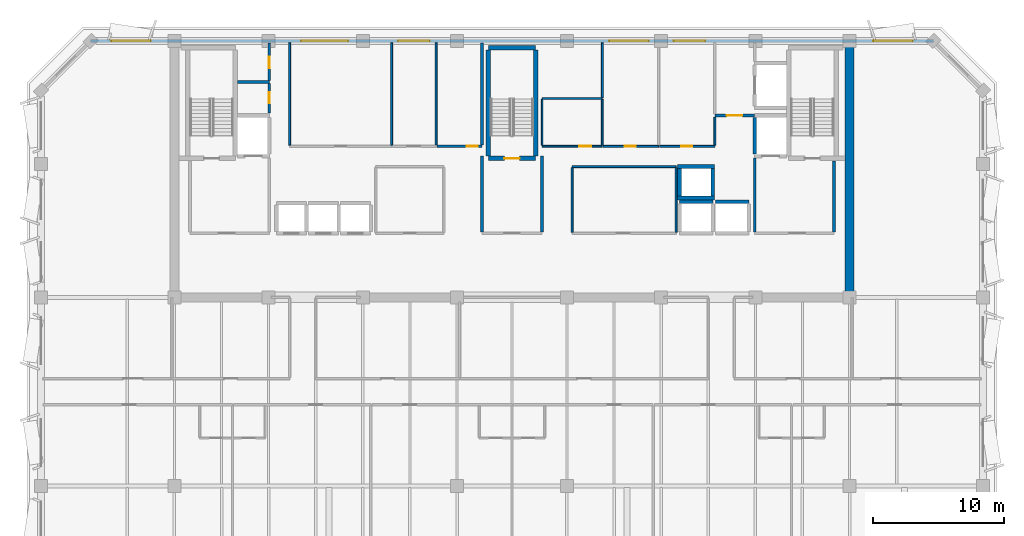
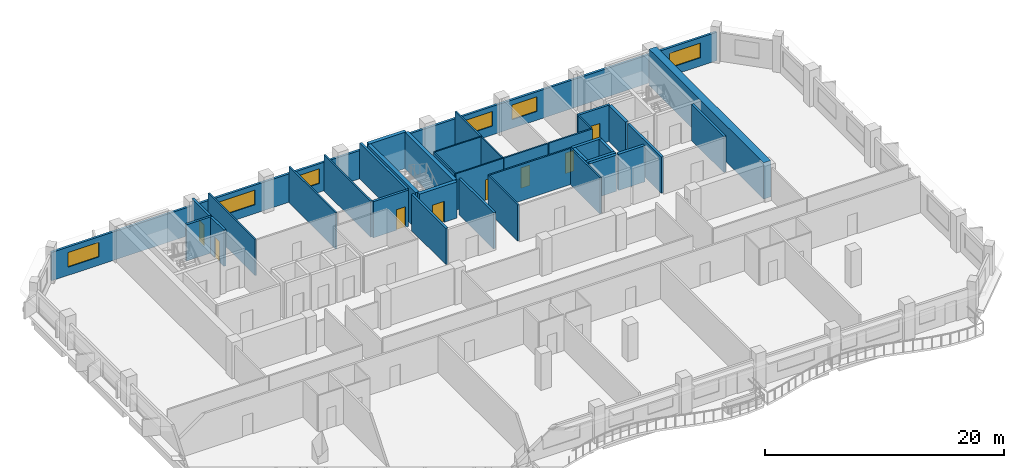
# One storey, part 6 of 10: 37 walls, 8 doors, 6 windows, 14 openings.
"""IFC4 building model written with IfcOpenShell, lengths in metres."""

from ifc_helpers import new_model, si_unit, direction, frame, frame_2d, origin, place, context, subcontext, project, spatial, rectangle, extrude, material, layer, layer_set, type_object, element, fill, save


model = new_model("IFC4")

# Units and contexts
model_context = context("Model", 3, precision=1e-05, world=origin(), true_north=direction((0.0, 1.0)))
body_context = subcontext(model_context, "Body", "Model", "MODEL_VIEW")
ifc_project = project(units=[si_unit("LENGTHUNIT", "METRE"), si_unit("AREAUNIT", "SQUARE_METRE"), si_unit("VOLUMEUNIT", "CUBIC_METRE"), si_unit("PLANEANGLEUNIT", "RADIAN"), si_unit("MASSUNIT", "GRAM", prefix="KILO")], contexts=[model_context])

# Site, building, storey
site_placement = place(None, origin())
site = spatial("IfcSite", under=ifc_project, at=site_placement, CompositionType="ELEMENT")
building_placement = place(site_placement, origin())
building = spatial("IfcBuilding", under=site, at=building_placement, Name="Kaelvorn Grand Hotel", CompositionType="ELEMENT")
storey_placement = place(building_placement, frame((0.0, 0.0, 260.75)))
storey = spatial("IfcBuildingStorey", under=building, at=storey_placement, Name="L64", CompositionType="ELEMENT", Elevation=260.75)

# Wall
ifc_material_1 = material(Name="Concrete C50/60", Category="concrete")
ifc_layer_1 = layer(ifc_material_1, 0.699951171875)
ifc_layer_set_1 = layer_set([ifc_layer_1], Name="Concrete C50/60")
wall_type_1 = type_object("IfcWallType", Name="WL-CORE-700-C50", PredefinedType="SHEAR", material=ifc_layer_set_1)
wall_1_placement = place(storey_placement, frame((67.800048828125, 29.39990234375, 0.0), z_axis=(0.0, 0.0, 1.0), x_axis=(0.0, 1.0, 0.0)))
element("IfcWall", 1, at=wall_1_placement, inside=storey, type_object=wall_type_1, Name="L64 Rear-Core East Shear Wall", PredefinedType="SHEAR", context=body_context, shape_type="SweptSolid", body=[
    extrude(rectangle(XDim=19.2001953125, YDim=0.699951171875, at=frame_2d((9.60009765625, 0.0))), origin(), (0.0, 0.0, 1.0), 3.7099609375),
])

# Wall, openings, windows
ifc_material_2 = material(Name="Concrete C40/50", Category="concrete")
ifc_layer_2 = layer(ifc_material_2, 0.219970703125)
ifc_layer_set_2 = layer_set([ifc_layer_2], Name="Concrete C40/50")
wall_type_2 = type_object("IfcWallType", Name="WL-EXT-220-C40", PredefinedType="SOLIDWALL", material=ifc_layer_set_2)
wall_2_placement = place(storey_placement, frame((74.199951171875, 49.0, 0.0), z_axis=(0.0, 0.0, 1.0), x_axis=(-1.0, 0.0, 0.0)))
wall_2 = element("IfcWall", 2, at=wall_2_placement, inside=storey, type_object=wall_type_2, Name="L64 Exterior Architectural Concrete Wall 05", PredefinedType="SOLIDWALL", context=body_context, shape_type="SweptSolid", body=[
    extrude(rectangle(XDim=64.39990234375, YDim=0.219970703125, at=frame_2d((32.199951171875, 0.0))), origin(), (0.0, 0.0, 1.0), 2.909912109375),
])
opening_1_placement = place(wall_2_placement, frame((59.81494140625, 0.0, 0.85009765625)))
opening_1 = element("IfcOpeningElement", 3, at=opening_1_placement, cuts=wall_2, Name="Opening W5", PredefinedType="OPENING", context=body_context, shape_type="SweptSolid", body=[
    extrude(rectangle(XDim=3.0, YDim=1.5, at=frame_2d((1.5, 0.75))), frame((0.0, 0.1201171875, 0.0), z_axis=(0.0, -1.0, 0.0), x_axis=(1.0, 0.0, 0.0)), (0.0, 0.0, 1.0), 0.239990234375),
])
opening_2_placement = place(wall_2_placement, frame((1.5849609375, 0.0, 0.85009765625)))
opening_2 = element("IfcOpeningElement", 4, at=opening_2_placement, cuts=wall_2, Name="Opening W5", PredefinedType="OPENING", context=body_context, shape_type="SweptSolid", body=[
    extrude(rectangle(XDim=3.0, YDim=1.5, at=frame_2d((1.5, 0.75))), frame((0.0, 0.1201171875, 0.0), z_axis=(0.0, -1.0, 0.0), x_axis=(1.0, 0.0, 0.0)), (0.0, 0.0, 1.0), 0.239990234375),
])
opening_3_placement = place(wall_2_placement, frame((44.715087890625, 0.0, 0.89990234375)))
opening_3 = element("IfcOpeningElement", 5, at=opening_3_placement, cuts=wall_2, Name="Opening W3", PredefinedType="OPENING", context=body_context, shape_type="SweptSolid", body=[
    extrude(rectangle(XDim=3.60009765625, YDim=1.5, at=frame_2d((1.800048828125, 0.75))), frame((0.0, 0.1201171875, 0.0), z_axis=(0.0, -1.0, 0.0), x_axis=(1.0, 0.0, 0.0)), (0.0, 0.0, 1.0), 0.239990234375),
])
opening_4_placement = place(wall_2_placement, frame((38.5, 0.0, 0.89990234375)))
opening_4 = element("IfcOpeningElement", 6, at=opening_4_placement, cuts=wall_2, Name="Opening W6", PredefinedType="OPENING", context=body_context, shape_type="SweptSolid", body=[
    extrude(rectangle(XDim=2.39990234375, YDim=1.5, at=frame_2d((1.199951171875, 0.75))), frame((0.0, 0.1201171875, 0.0), z_axis=(0.0, -1.0, 0.0), x_axis=(1.0, 0.0, 0.0)), (0.0, 0.0, 1.0), 0.239990234375),
])
opening_5_placement = place(wall_2_placement, frame((21.75, 0.0, 0.89990234375)))
opening_5 = element("IfcOpeningElement", 7, at=opening_5_placement, cuts=wall_2, Name="Opening W5", PredefinedType="OPENING", context=body_context, shape_type="SweptSolid", body=[
    extrude(rectangle(XDim=3.0, YDim=1.5, at=frame_2d((1.5, 0.75))), frame((0.0, 0.1201171875, 0.0), z_axis=(0.0, -1.0, 0.0), x_axis=(1.0, 0.0, 0.0)), (0.0, 0.0, 1.0), 0.239990234375),
])
opening_6_placement = place(wall_2_placement, frame((17.43505859375, 0.0, 0.89990234375)))
opening_6 = element("IfcOpeningElement", 8, at=opening_6_placement, cuts=wall_2, Name="Opening W6", PredefinedType="OPENING", context=body_context, shape_type="SweptSolid", body=[
    extrude(rectangle(XDim=2.39990234375, YDim=1.5, at=frame_2d((1.199951171875, 0.75))), frame((0.0, 0.1201171875, 0.0), z_axis=(0.0, -1.0, 0.0), x_axis=(1.0, 0.0, 0.0)), (0.0, 0.0, 1.0), 0.239990234375),
])
ifc_material_3 = material(Name="Laminated Low-E Glass", Category="glass")
window_type_1 = type_object("IfcWindowType", Name="WIN-NTH-2400x1500", PartitioningType="SINGLE_PANEL", PredefinedType="WINDOW", material=ifc_material_3)
window_1_placement = place(opening_4_placement, origin())
window_1 = element("IfcWindow", 9, at=window_1_placement, inside=storey, type_object=window_type_1, Name="L64 North Core Clerestory Ribbon Window NC04", OverallHeight=1.5, OverallWidth=2.39990234375, PartitioningType="SINGLE_PANEL", PredefinedType="WINDOW", context=body_context, shape_type="SweptSolid", body=[
    extrude(rectangle(XDim=2.39990234375, YDim=1.5, at=frame_2d((1.199951171875, 0.75))), frame((0.0, 0.030029296875, 0.0), z_axis=(0.0, -1.0, 0.0), x_axis=(1.0, 0.0, 0.0)), (0.0, 0.0, 1.0), 0.06005859375),
])
fill(opening_4, window_1)
window_2_placement = place(opening_6_placement, origin())
window_2 = element("IfcWindow", 10, at=window_2_placement, inside=storey, type_object=window_type_1, Name="L64 North Core Clerestory Ribbon Window NC06", OverallHeight=1.5, OverallWidth=2.39990234375, PartitioningType="SINGLE_PANEL", PredefinedType="WINDOW", context=body_context, shape_type="SweptSolid", body=[
    extrude(rectangle(XDim=2.39990234375, YDim=1.5, at=frame_2d((1.199951171875, 0.75))), frame((0.0, 0.030029296875, 0.0), z_axis=(0.0, -1.0, 0.0), x_axis=(1.0, 0.0, 0.0)), (0.0, 0.0, 1.0), 0.06005859375),
])
fill(opening_6, window_2)
window_type_2 = type_object("IfcWindowType", Name="WIN-NTH-3000x1500", PartitioningType="SINGLE_PANEL", PredefinedType="WINDOW", material=ifc_material_3)
window_3_placement = place(opening_1_placement, origin())
window_3 = element("IfcWindow", 11, at=window_3_placement, inside=storey, type_object=window_type_2, Name="L64 North Wing Ribbon Window NW01", OverallHeight=1.5, OverallWidth=3.0, PartitioningType="SINGLE_PANEL", PredefinedType="WINDOW", context=body_context, shape_type="SweptSolid", body=[
    extrude(rectangle(XDim=3.0, YDim=1.5, at=frame_2d((1.5, 0.75))), frame((0.0, 0.030029296875, 0.0), z_axis=(0.0, -1.0, 0.0), x_axis=(1.0, 0.0, 0.0)), (0.0, 0.0, 1.0), 0.06005859375),
])
fill(opening_1, window_3)
window_4_placement = place(opening_2_placement, origin())
window_4 = element("IfcWindow", 12, at=window_4_placement, inside=storey, type_object=window_type_2, Name="L64 North Wing Ribbon Window NW02", OverallHeight=1.5, OverallWidth=3.0, PartitioningType="SINGLE_PANEL", PredefinedType="WINDOW", context=body_context, shape_type="SweptSolid", body=[
    extrude(rectangle(XDim=3.0, YDim=1.5, at=frame_2d((1.5, 0.75))), frame((0.0, 0.030029296875, 0.0), z_axis=(0.0, -1.0, 0.0), x_axis=(1.0, 0.0, 0.0)), (0.0, 0.0, 1.0), 0.06005859375),
])
fill(opening_2, window_4)
window_5_placement = place(opening_5_placement, origin())
window_5 = element("IfcWindow", 13, at=window_5_placement, inside=storey, type_object=window_type_2, Name="L64 North Core Clerestory Ribbon Window NC05", OverallHeight=1.5, OverallWidth=3.0, PartitioningType="SINGLE_PANEL", PredefinedType="WINDOW", context=body_context, shape_type="SweptSolid", body=[
    extrude(rectangle(XDim=3.0, YDim=1.5, at=frame_2d((1.5, 0.75))), frame((0.0, 0.030029296875, 0.0), z_axis=(0.0, -1.0, 0.0), x_axis=(1.0, 0.0, 0.0)), (0.0, 0.0, 1.0), 0.06005859375),
])
fill(opening_5, window_5)
window_type_3 = type_object("IfcWindowType", Name="WIN-RIB-3600x1750", PartitioningType="SINGLE_PANEL", PredefinedType="WINDOW", material=ifc_material_3)
window_6_placement = place(opening_3_placement, origin())
window_6 = element("IfcWindow", 14, at=window_6_placement, inside=storey, type_object=window_type_3, Name="L64 North Core Clerestory Ribbon Window NC03", OverallHeight=1.5, OverallWidth=3.60009765625, PartitioningType="SINGLE_PANEL", PredefinedType="WINDOW", context=body_context, shape_type="SweptSolid", body=[
    extrude(rectangle(XDim=3.60009765625, YDim=1.5, at=frame_2d((1.800048828125, 0.75))), frame((0.0, 0.030029296875, 0.0), z_axis=(0.0, -1.0, 0.0), x_axis=(1.0, 0.0, 0.0)), (0.0, 0.0, 1.0), 0.06005859375),
])
fill(opening_3, window_6)

# Wall, opening, door
ifc_material_4 = material(Name="Moisture-Resistant Tile & Stud Board")
ifc_layer_3 = layer(ifc_material_4, 0.125)
ifc_layer_set_3 = layer_set([ifc_layer_3], Name="Moisture-Resistant Tile & Stud Board")
wall_type_3 = type_object("IfcWallType", Name="WL-PART-125-WET", PredefinedType="PARTITIONING", material=ifc_layer_set_3)
wall_3_placement = place(storey_placement, frame((44.300048828125, 40.949951171875, 0.0), z_axis=(0.0, 0.0, 1.0), x_axis=(1.0, 0.0, 0.0)))
wall_3 = element("IfcWall", 15, at=wall_3_placement, inside=storey, type_object=wall_type_3, Name="L64 Accessible WC S Partition", PredefinedType="PARTITIONING", context=body_context, shape_type="SweptSolid", body=[
    extrude(rectangle(XDim=4.599853515625, YDim=0.125, at=frame_2d((2.2998046875, 0.0))), origin(), (0.0, 0.0, 1.0), 3.7099609375),
])
opening_7_placement = place(wall_3_placement, frame((2.85009765625, 0.0, 0.0)))
opening_7 = element("IfcOpeningElement", 16, at=opening_7_placement, cuts=wall_3, Name="Opening DI4", PredefinedType="OPENING", context=body_context, shape_type="SweptSolid", body=[
    extrude(rectangle(XDim=0.89990234375, YDim=2.10009765625, at=frame_2d((0.449951171875, 1.050048828125))), frame((0.0, 0.072509765625, 0.0), z_axis=(0.0, -1.0, 0.0), x_axis=(1.0, 0.0, 0.0)), (0.0, 0.0, 1.0), 0.14501953125),
])
ifc_material_5 = material(Name="Timber Veneer Leaf", Category="wood")
door_type_1 = type_object("IfcDoorType", Name="DR-INT-BATH-900x2100", OperationType="NOTDEFINED", PredefinedType="DOOR", material=ifc_material_5)
door_1_placement = place(opening_7_placement, origin())
door_1 = element("IfcDoor", 17, at=door_1_placement, inside=storey, type_object=door_type_1, Name="L64 Accessible WC Door", OperationType="SINGLE_SWING_RIGHT", OverallHeight=2.10009765625, OverallWidth=0.89990234375, PredefinedType="DOOR", context=body_context, shape_type="SweptSolid", body=[
    extrude(rectangle(XDim=0.89990234375, YDim=2.10009765625, at=frame_2d((0.449951171875, 1.050048828125))), frame((0.0, 0.02490234375, 0.0), z_axis=(0.0, -1.0, 0.0), x_axis=(1.0, 0.0, 0.0)), (0.0, 0.0, 1.0), 0.050048828125),
])
fill(opening_7, door_1)

# Walls
wall_4_placement = place(storey_placement, frame((44.300048828125, 44.60009765625, 0.0), z_axis=(0.0, 0.0, 1.0), x_axis=(1.0, 0.0, 0.0)))
element("IfcWall", 18, at=wall_4_placement, inside=storey, type_object=wall_type_3, Name="L64 Accessible WC N Partition", PredefinedType="PARTITIONING", context=body_context, shape_type="SweptSolid", body=[
    extrude(rectangle(XDim=4.599853515625, YDim=0.125, at=frame_2d((2.2998046875, 0.0))), origin(), (0.0, 0.0, 1.0), 3.7099609375),
])
for number, where, z_axis, x_axis, name in (
    (19, (44.300048828125, 41.017578125, 0.0), (0.0, 0.0, 1.0), (0.0, 1.0, 0.0), "L64 Accessible WC W Partition"),
    (20, (48.89990234375, 41.017578125, 0.0), (0.0, 0.0, 1.0), (0.0, 1.0, 0.0), "L64 Accessible WC E Partition"),
):
    element("IfcWall", number, at=place(storey_placement, frame(where, z_axis=z_axis, x_axis=x_axis)), inside=storey, type_object=wall_type_3, Name=name, PredefinedType="PARTITIONING", context=body_context, shape_type="SweptSolid", body=[
        extrude(rectangle(XDim=3.514892578125, YDim=0.125, at=frame_2d((1.75732421875, 0.0))), origin(), (0.0, 0.0, 1.0), 3.7099609375),
    ])
ifc_material_6 = material(Name="Acoustic Gypsum & Stud Partition")
ifc_layer_4 = layer(ifc_material_6, 0.14990234375)
ifc_layer_set_4 = layer_set([ifc_layer_4], Name="Acoustic Gypsum & Stud Partition")
wall_type_4 = type_object("IfcWallType", Name="WL-PART-150-EI60", PredefinedType="PARTITIONING", material=ifc_layer_set_4)
wall_5_placement = place(storey_placement, frame((46.60009765625, 39.39990234375, 0.0), z_axis=(0.0, 0.0, 1.0), x_axis=(1.0, 0.0, 0.0)))
element("IfcWall", 21, at=wall_5_placement, inside=storey, type_object=wall_type_4, Name="L64 Sky Concierge & Butler Pantry Lounge N Partition", PredefinedType="PARTITIONING", context=body_context, shape_type="SweptSolid", body=[
    extrude(rectangle(XDim=7.949951171875, YDim=0.14990234375, at=frame_2d((3.97509765625, 0.0))), origin(), (0.0, 0.0, 1.0), 3.7099609375),
])
for number, where, z_axis, x_axis, name in (
    (22, (46.60009765625, 34.3798828125, 0.0), (0.0, 0.0, 1.0), (0.0, 1.0, 0.0), "L64 Sky Concierge & Butler Pantry Lounge W Partition"),
    (23, (54.550048828125, 34.3798828125, 0.0), (0.0, 0.0, 1.0), (0.0, 1.0, 0.0), "L64 Sky Concierge & Butler Pantry Lounge E Partition"),
):
    element("IfcWall", number, at=place(storey_placement, frame(where, z_axis=z_axis, x_axis=x_axis)), inside=storey, type_object=wall_type_4, Name=name, PredefinedType="PARTITIONING", context=body_context, shape_type="SweptSolid", body=[
        extrude(rectangle(XDim=4.940185546875, YDim=0.14990234375, at=frame_2d((2.47021484375, 0.0))), origin(), (0.0, 0.0, 1.0), 3.7099609375),
    ])
for number, where, z_axis, x_axis, name in (
    (24, (25.0, 41.030029296875, 0.0), (0.0, 0.0, 1.0), (0.0, 1.0, 0.0), "L64 Housekeeping & Linen Room W Partition"),
    (25, (32.800048828125, 41.030029296875, 0.0), (0.0, 0.0, 1.0), (0.0, 1.0, 0.0), "L64 Housekeeping & Linen Room E Partition"),
    (26, (36.199951171875, 41.030029296875, 0.0), (0.0, 0.0, 1.0), (0.0, 1.0, 0.0), "L64 Floor Butler Tea Point E Partition"),
):
    element("IfcWall", number, at=place(storey_placement, frame(where, z_axis=z_axis, x_axis=x_axis)), inside=storey, type_object=wall_type_4, Name=name, PredefinedType="PARTITIONING", context=body_context, shape_type="SweptSolid", body=[
        extrude(rectangle(XDim=7.820068359375, YDim=0.14990234375, at=frame_2d((3.91015625, 0.0))), origin(), (0.0, 0.0, 1.0), 3.7099609375),
    ])

# Wall, opening, door
wall_6_placement = place(storey_placement, frame((48.967529296875, 40.949951171875, 0.0), z_axis=(0.0, 0.0, 1.0), x_axis=(1.0, 0.0, 0.0)))
wall_6 = element("IfcWall", 27, at=wall_6_placement, inside=storey, type_object=wall_type_4, Name="L64 Minibar & Glassware Store S Partition", PredefinedType="PARTITIONING", context=body_context, shape_type="SweptSolid", body=[
    extrude(rectangle(XDim=4.232421875, YDim=0.14990234375, at=frame_2d((2.1162109375, 0.0))), origin(), (0.0, 0.0, 1.0), 3.7099609375),
])
opening_8_placement = place(wall_6_placement, frame((1.657470703125, 0.0, 0.0)))
opening_8 = element("IfcOpeningElement", 28, at=opening_8_placement, cuts=wall_6, Name="Opening DI7", PredefinedType="OPENING", context=body_context, shape_type="SweptSolid", body=[
    extrude(rectangle(XDim=0.85009765625, YDim=2.10009765625, at=frame_2d((0.425048828125, 1.050048828125))), frame((0.0, 0.0849609375, 0.0), z_axis=(0.0, -1.0, 0.0), x_axis=(1.0, 0.0, 0.0)), (0.0, 0.0, 1.0), 0.169921875),
])
ifc_material_7 = material(Name="Powder-Coated Steel Leaf", Category="steel")
door_type_2 = type_object("IfcDoorType", Name="DR-INT-RISER-850x2100", OperationType="NOTDEFINED", PredefinedType="DOOR", material=ifc_material_7)
door_2_placement = place(opening_8_placement, origin())
door_2 = element("IfcDoor", 29, at=door_2_placement, inside=storey, type_object=door_type_2, Name="L64 Minibar & Glassware Store Door", OperationType="SINGLE_SWING_LEFT", OverallHeight=2.10009765625, OverallWidth=0.85009765625, PredefinedType="DOOR", context=body_context, shape_type="SweptSolid", body=[
    extrude(rectangle(XDim=0.85009765625, YDim=2.10009765625, at=frame_2d((0.425048828125, 1.050048828125))), frame((0.0, 0.02490234375, 0.0), z_axis=(0.0, -1.0, 0.0), x_axis=(1.0, 0.0, 0.0)), (0.0, 0.0, 1.0), 0.050048828125),
])
fill(opening_8, door_2)

# Wall
wall_7_placement = place(storey_placement, frame((48.89990234375, 44.66748046875, 0.0), z_axis=(0.0, 0.0, 1.0), x_axis=(0.0, 1.0, 0.0)))
element("IfcWall", 30, at=wall_7_placement, inside=storey, type_object=wall_type_4, Name="L64 Minibar & Glassware Store W Partition", PredefinedType="PARTITIONING", context=body_context, shape_type="SweptSolid", body=[
    extrude(rectangle(XDim=4.1826171875, YDim=0.14990234375, at=frame_2d((2.09130859375, 0.0))), origin(), (0.0, 0.0, 1.0), 3.7099609375),
])

# Wall, opening, door
wall_8_placement = place(storey_placement, frame((53.280029296875, 40.949951171875, 0.0), z_axis=(0.0, 0.0, 1.0), x_axis=(1.0, 0.0, 0.0)))
wall_8 = element("IfcWall", 31, at=wall_8_placement, inside=storey, type_object=wall_type_4, Name="L64 Floor IT & Comms Room S Partition", PredefinedType="PARTITIONING", context=body_context, shape_type="SweptSolid", body=[
    extrude(rectangle(XDim=4.219970703125, YDim=0.14990234375, at=frame_2d((2.10986328125, 0.0))), origin(), (0.0, 0.0, 1.0), 3.7099609375),
])
opening_9_placement = place(wall_8_placement, frame((1.64501953125, 0.0, 0.0)))
opening_9 = element("IfcOpeningElement", 32, at=opening_9_placement, cuts=wall_8, Name="Opening DI7", PredefinedType="OPENING", context=body_context, shape_type="SweptSolid", body=[
    extrude(rectangle(XDim=0.85009765625, YDim=2.10009765625, at=frame_2d((0.425048828125, 1.050048828125))), frame((0.0, 0.0849609375, 0.0), z_axis=(0.0, -1.0, 0.0), x_axis=(1.0, 0.0, 0.0)), (0.0, 0.0, 1.0), 0.169921875),
])
door_3_placement = place(opening_9_placement, origin())
door_3 = element("IfcDoor", 33, at=door_3_placement, inside=storey, type_object=door_type_2, Name="L64 Floor IT & Comms Room Door", OperationType="SINGLE_SWING_RIGHT", OverallHeight=2.10009765625, OverallWidth=0.85009765625, PredefinedType="DOOR", context=body_context, shape_type="SweptSolid", body=[
    extrude(rectangle(XDim=0.85009765625, YDim=2.10009765625, at=frame_2d((0.425048828125, 1.050048828125))), frame((0.0, 0.02490234375, 0.0), z_axis=(0.0, -1.0, 0.0), x_axis=(1.0, 0.0, 0.0)), (0.0, 0.0, 1.0), 0.050048828125),
])
fill(opening_9, door_3)

# Walls
wall_9_placement = place(storey_placement, frame((57.5, 41.030029296875, 0.0), z_axis=(0.0, 0.0, 1.0), x_axis=(0.0, 1.0, 0.0)))
element("IfcWall", 34, at=wall_9_placement, inside=storey, type_object=wall_type_4, Name="L64 Floor IT & Comms Room E Partition", PredefinedType="PARTITIONING", context=body_context, shape_type="SweptSolid", body=[
    extrude(rectangle(XDim=2.155029296875, YDim=0.14990234375, at=frame_2d((1.07763671875, 0.0))), origin(), (0.0, 0.0, 1.0), 3.7099609375),
])
ifc_layer_5 = layer(ifc_material_2, 0.219970703125)
ifc_layer_set_5 = layer_set([ifc_layer_5], Name="Concrete C40/50")
wall_type_5 = type_object("IfcWallType", Name="WL-PART-220-EI120", PredefinedType="PARTITIONING", material=ifc_layer_set_5)
wall_10_placement = place(storey_placement, frame((60.550048828125, 34.4150390625, 0.0), z_axis=(0.0, 0.0, 1.0), x_axis=(0.0, 1.0, 0.0)))
element("IfcWall", 35, at=wall_10_placement, inside=storey, type_object=wall_type_5, Name="L64 Firefighting Lift Lobby 2 W Partition", PredefinedType="PARTITIONING", context=body_context, shape_type="SweptSolid", body=[
    extrude(rectangle(XDim=5.639892578125, YDim=0.219970703125, at=frame_2d((2.81982421875, 0.0))), origin(), (0.0, 0.0, 1.0), 3.7099609375),
])
wall_11_placement = place(storey_placement, frame((66.60009765625, 34.4150390625, 0.0), z_axis=(0.0, 0.0, 1.0), x_axis=(0.0, 1.0, 0.0)))
element("IfcWall", 36, at=wall_11_placement, inside=storey, type_object=wall_type_5, Name="L64 Firefighting Lift Lobby 2 E Partition", PredefinedType="PARTITIONING", context=body_context, shape_type="SweptSolid", body=[
    extrude(rectangle(XDim=5.429931640625, YDim=0.219970703125, at=frame_2d((2.71484375, 0.0))), origin(), (0.0, 0.0, 1.0), 3.7099609375),
])
for number, where, z_axis, x_axis, name in (
    (37, (39.699951171875, 34.4150390625, 0.0), (0.0, 0.0, 1.0), (0.0, 1.0, 0.0), "L64 Central Stair Escape Vestibule W Partition"),
    (38, (44.300048828125, 34.4150390625, 0.0), (0.0, 0.0, 1.0), (0.0, 1.0, 0.0), "L64 Central Stair Escape Vestibule E Partition"),
):
    element("IfcWall", number, at=place(storey_placement, frame(where, z_axis=z_axis, x_axis=x_axis)), inside=storey, type_object=wall_type_5, Name=name, PredefinedType="PARTITIONING", context=body_context, shape_type="SweptSolid", body=[
        extrude(rectangle(XDim=5.784912109375, YDim=0.219970703125, at=frame_2d((2.892578125, 0.0))), origin(), (0.0, 0.0, 1.0), 3.7099609375),
    ])

# Wall, opening, door
wall_12_placement = place(storey_placement, frame((57.5, 43.300048828125, 0.0), z_axis=(0.0, 0.0, 1.0), x_axis=(1.0, 0.0, 0.0)))
wall_12 = element("IfcWall", 39, at=wall_12_placement, inside=storey, type_object=wall_type_5, Name="L64 Service Lift Lobby S Partition", PredefinedType="PARTITIONING", context=body_context, shape_type="SweptSolid", body=[
    extrude(rectangle(XDim=3.0400390625, YDim=0.219970703125, at=frame_2d((1.52001953125, 0.0))), origin(), (0.0, 0.0, 1.0), 3.7099609375),
])
opening_10_placement = place(wall_12_placement, frame((0.89990234375, 0.0, 0.0)))
opening_10 = element("IfcOpeningElement", 40, at=opening_10_placement, cuts=wall_12, Name="Opening DI2", PredefinedType="OPENING", context=body_context, shape_type="SweptSolid", body=[
    extrude(rectangle(XDim=1.199951171875, YDim=2.14990234375, at=frame_2d((0.60009765625, 1.074951171875))), frame((0.0, 0.1201171875, 0.0), z_axis=(0.0, -1.0, 0.0), x_axis=(1.0, 0.0, 0.0)), (0.0, 0.0, 1.0), 0.239990234375),
])
ifc_material_8 = material(Name="Timber Veneer Fire Leaf", Category="wood")
door_type_3 = type_object("IfcDoorType", Name="DR-INT-FFLOB-1200x2150", OperationType="NOTDEFINED", PredefinedType="DOOR", material=ifc_material_8)
door_4_placement = place(opening_10_placement, origin())
door_4 = element("IfcDoor", 41, at=door_4_placement, inside=storey, type_object=door_type_3, Name="L64 Service Lift Lobby Door", OperationType="SINGLE_SWING_RIGHT", OverallHeight=2.14990234375, OverallWidth=1.199951171875, PredefinedType="DOOR", context=body_context, shape_type="SweptSolid", body=[
    extrude(rectangle(XDim=1.199951171875, YDim=2.14990234375, at=frame_2d((0.60009765625, 1.074951171875))), frame((0.0, 0.02490234375, 0.0), z_axis=(0.0, -1.0, 0.0), x_axis=(1.0, 0.0, 0.0)), (0.0, 0.0, 1.0), 0.050048828125),
])
fill(opening_10, door_4)

# Wall
wall_13_placement = place(storey_placement, frame((21.034912109375, 45.85009765625, 0.0), z_axis=(0.0, 0.0, 1.0), x_axis=(1.0, 0.0, 0.0)))
element("IfcWall", 42, at=wall_13_placement, inside=storey, type_object=wall_type_5, Name="L64 Wet Fire & Plumbing Riser Shaft N Partition", PredefinedType="PARTITIONING", context=body_context, shape_type="SweptSolid", body=[
    extrude(rectangle(XDim=2.4150390625, YDim=0.219970703125, at=frame_2d((1.20751953125, 0.0))), origin(), (0.0, 0.0, 1.0), 3.7099609375),
])

# Wall, opening, door
wall_14_placement = place(storey_placement, frame((23.449951171875, 43.5, 0.0), z_axis=(0.0, 0.0, 1.0), x_axis=(0.0, 1.0, 0.0)))
wall_14 = element("IfcWall", 43, at=wall_14_placement, inside=storey, type_object=wall_type_5, Name="L64 Wet Fire & Plumbing Riser Shaft E Partition", PredefinedType="PARTITIONING", context=body_context, shape_type="SweptSolid", body=[
    extrude(rectangle(XDim=2.235107421875, YDim=0.219970703125, at=frame_2d((1.11767578125, 0.0))), origin(), (0.0, 0.0, 1.0), 3.7099609375),
])
opening_11_placement = place(wall_14_placement, frame((0.72509765625, 0.0, 0.0)))
opening_11 = element("IfcOpeningElement", 44, at=opening_11_placement, cuts=wall_14, Name="Opening DI7", PredefinedType="OPENING", context=body_context, shape_type="SweptSolid", body=[
    extrude(rectangle(XDim=0.85009765625, YDim=2.10009765625, at=frame_2d((0.425048828125, 1.050048828125))), frame((0.0, 0.1201171875, 0.0), z_axis=(0.0, -1.0, 0.0), x_axis=(1.0, 0.0, 0.0)), (0.0, 0.0, 1.0), 0.239990234375),
])
door_5_placement = place(opening_11_placement, origin())
door_5 = element("IfcDoor", 45, at=door_5_placement, inside=storey, type_object=door_type_2, Name="L64 Wet Fire & Plumbing Riser Shaft Door", OperationType="SINGLE_SWING_LEFT", OverallHeight=2.10009765625, OverallWidth=0.85009765625, PredefinedType="DOOR", context=body_context, shape_type="SweptSolid", body=[
    extrude(rectangle(XDim=0.85009765625, YDim=2.10009765625, at=frame_2d((0.425048828125, 1.050048828125))), frame((0.0, 0.02490234375, 0.0), z_axis=(0.0, -1.0, 0.0), x_axis=(1.0, 0.0, 0.0)), (0.0, 0.0, 1.0), 0.050048828125),
])
fill(opening_11, door_5)

wall_15_placement = place(storey_placement, frame((23.449951171875, 45.965087890625, 0.0), z_axis=(0.0, 0.0, 1.0), x_axis=(0.0, 1.0, 0.0)))
wall_15 = element("IfcWall", 46, at=wall_15_placement, inside=storey, type_object=wall_type_5, Name="L64 HV Electrical & Smoke Riser E Partition", PredefinedType="PARTITIONING", context=body_context, shape_type="SweptSolid", body=[
    extrude(rectangle(XDim=2.885009765625, YDim=0.219970703125, at=frame_2d((1.4423828125, 0.0))), origin(), (0.0, 0.0, 1.0), 3.7099609375),
])
opening_12_placement = place(wall_15_placement, frame((0.9599609375, 0.0, 0.0)))
opening_12 = element("IfcOpeningElement", 47, at=opening_12_placement, cuts=wall_15, Name="Opening DI7", PredefinedType="OPENING", context=body_context, shape_type="SweptSolid", body=[
    extrude(rectangle(XDim=0.85009765625, YDim=2.10009765625, at=frame_2d((0.425048828125, 1.050048828125))), frame((0.0, 0.1201171875, 0.0), z_axis=(0.0, -1.0, 0.0), x_axis=(1.0, 0.0, 0.0)), (0.0, 0.0, 1.0), 0.239990234375),
])
door_6_placement = place(opening_12_placement, origin())
door_6 = element("IfcDoor", 48, at=door_6_placement, inside=storey, type_object=door_type_2, Name="L64 HV Electrical & Smoke Riser Door", OperationType="SINGLE_SWING_RIGHT", OverallHeight=2.10009765625, OverallWidth=0.85009765625, PredefinedType="DOOR", context=body_context, shape_type="SweptSolid", body=[
    extrude(rectangle(XDim=0.85009765625, YDim=2.10009765625, at=frame_2d((0.425048828125, 1.050048828125))), frame((0.0, 0.02490234375, 0.0), z_axis=(0.0, -1.0, 0.0), x_axis=(1.0, 0.0, 0.0)), (0.0, 0.0, 1.0), 0.050048828125),
])
fill(opening_12, door_6)

wall_16_placement = place(storey_placement, frame((36.280029296875, 40.949951171875, 0.0), z_axis=(0.0, 0.0, 1.0), x_axis=(1.0, 0.0, 0.0)))
wall_16 = element("IfcWall", 49, at=wall_16_placement, inside=storey, type_object=wall_type_5, Name="L64 LV Electrical & Metering Room S Partition", PredefinedType="PARTITIONING", context=body_context, shape_type="SweptSolid", body=[
    extrude(rectangle(XDim=3.419921875, YDim=0.219970703125, at=frame_2d((1.7099609375, 0.0))), origin(), (0.0, 0.0, 1.0), 3.7099609375),
])
opening_13_placement = place(wall_16_placement, frame((2.2451171875, 0.0, 0.0)))
opening_13 = element("IfcOpeningElement", 50, at=opening_13_placement, cuts=wall_16, Name="Opening DI7", PredefinedType="OPENING", context=body_context, shape_type="SweptSolid", body=[
    extrude(rectangle(XDim=0.85009765625, YDim=2.10009765625, at=frame_2d((0.425048828125, 1.050048828125))), frame((0.0, 0.1201171875, 0.0), z_axis=(0.0, -1.0, 0.0), x_axis=(1.0, 0.0, 0.0)), (0.0, 0.0, 1.0), 0.239990234375),
])
door_7_placement = place(opening_13_placement, origin())
door_7 = element("IfcDoor", 51, at=door_7_placement, inside=storey, type_object=door_type_2, Name="L64 LV Electrical & Metering Room Door", OperationType="SINGLE_SWING_LEFT", OverallHeight=2.10009765625, OverallWidth=0.85009765625, PredefinedType="DOOR", context=body_context, shape_type="SweptSolid", body=[
    extrude(rectangle(XDim=0.85009765625, YDim=2.10009765625, at=frame_2d((0.425048828125, 1.050048828125))), frame((0.0, 0.02490234375, 0.0), z_axis=(0.0, -1.0, 0.0), x_axis=(1.0, 0.0, 0.0)), (0.0, 0.0, 1.0), 0.050048828125),
])
fill(opening_13, door_7)

# Walls
wall_17_placement = place(storey_placement, frame((39.699951171875, 41.06494140625, 0.0), z_axis=(0.0, 0.0, 1.0), x_axis=(0.0, 1.0, 0.0)))
element("IfcWall", 52, at=wall_17_placement, inside=storey, type_object=wall_type_5, Name="L64 LV Electrical & Metering Room E Partition", PredefinedType="PARTITIONING", context=body_context, shape_type="SweptSolid", body=[
    extrude(rectangle(XDim=7.78515625, YDim=0.219970703125, at=frame_2d((3.892578125, 0.0))), origin(), (0.0, 0.0, 1.0), 3.7099609375),
])
ifc_layer_6 = layer(ifc_material_1, 0.280029296875)
ifc_layer_set_6 = layer_set([ifc_layer_6], Name="Concrete C50/60")
wall_type_6 = type_object("IfcWallType", Name="WL-SHAFT-280-C50", PredefinedType="SHEAR", material=ifc_layer_set_6)
for number, where, z_axis, x_axis, name in (
    (53, (54.800048828125, 36.699951171875, 0.0), (0.0, 0.0, 1.0), (1.0, 0.0, 0.0), "L64 Lift OL-1 Shaft North Wall"),
    (54, (57.550048828125, 36.699951171875, 0.0), (0.0, 0.0, 1.0), (1.0, 0.0, 0.0), "L64 Lift OL-2 Shaft North Wall"),
):
    element("IfcWall", number, at=place(storey_placement, frame(where, z_axis=z_axis, x_axis=x_axis)), inside=storey, type_object=wall_type_6, Name=name, PredefinedType="SHEAR", context=body_context, shape_type="SweptSolid", body=[
        extrude(rectangle(XDim=2.550048828125, YDim=0.280029296875, at=frame_2d((1.27490234375, 0.0))), origin(), (0.0, 0.0, 1.0), 3.7099609375),
    ])
for number, where, z_axis, x_axis, name in (
    (55, (54.659912109375, 37.0, 0.0), (0.0, 0.0, 1.0), (1.0, 0.0, 0.0), "L64 Lift OL-3 Shaft South Wall"),
    (56, (54.659912109375, 39.39990234375, 0.0), (0.0, 0.0, 1.0), (1.0, 0.0, 0.0), "L64 Lift OL-3 Shaft North Wall"),
):
    element("IfcWall", number, at=place(storey_placement, frame(where, z_axis=z_axis, x_axis=x_axis)), inside=storey, type_object=wall_type_6, Name=name, PredefinedType="SHEAR", context=body_context, shape_type="SweptSolid", body=[
        extrude(rectangle(XDim=2.830078125, YDim=0.280029296875, at=frame_2d((1.4150390625, 0.0))), origin(), (0.0, 0.0, 1.0), 3.7099609375),
    ])
for number, where, z_axis, x_axis, name in (
    (57, (54.800048828125, 37.14501953125, 0.0), (0.0, 0.0, 1.0), (0.0, 1.0, 0.0), "L64 Lift OL-3 Shaft West Wall"),
    (58, (57.35009765625, 37.14501953125, 0.0), (0.0, 0.0, 1.0), (0.0, 1.0, 0.0), "L64 Lift OL-3 Shaft East Wall"),
):
    element("IfcWall", number, at=place(storey_placement, frame(where, z_axis=z_axis, x_axis=x_axis)), inside=storey, type_object=wall_type_6, Name=name, PredefinedType="SHEAR", context=body_context, shape_type="SweptSolid", body=[
        extrude(rectangle(XDim=2.10986328125, YDim=0.280029296875, at=frame_2d((1.054931640625, 0.0))), origin(), (0.0, 0.0, 1.0), 3.7099609375),
    ])
wall_18_placement = place(storey_placement, frame((60.550048828125, 40.344970703125, 0.0), z_axis=(0.0, 0.0, 1.0), x_axis=(0.0, 1.0, 0.0)))
element("IfcWall", 59, at=wall_18_placement, inside=storey, type_object=wall_type_6, Name="L64 Lift FFL2 Shaft West Wall", PredefinedType="SHEAR", context=body_context, shape_type="SweptSolid", body=[
    extrude(rectangle(XDim=2.81005859375, YDim=0.280029296875, at=frame_2d((1.405029296875, 0.0))), origin(), (0.0, 0.0, 1.0), 3.7099609375),
])

# Wall, opening, door
ifc_material_9 = material(Name="Concrete C60/75", Category="concrete")
ifc_layer_7 = layer(ifc_material_9, 0.35009765625)
ifc_layer_set_7 = layer_set([ifc_layer_7], Name="Concrete C60/75")
wall_type_7 = type_object("IfcWallType", Name="WL-SHAFT-350-C60", PredefinedType="SHEAR", material=ifc_layer_set_7)
wall_19_placement = place(storey_placement, frame((40.18505859375, 40.02490234375, 0.0), z_axis=(0.0, 0.0, 1.0), x_axis=(1.0, 0.0, 0.0)))
wall_19 = element("IfcWall", 60, at=wall_19_placement, inside=storey, type_object=wall_type_7, Name="L64 ST2 Stair Shaft South Wall", PredefinedType="SHEAR", context=body_context, shape_type="SweptSolid", body=[
    extrude(rectangle(XDim=3.6298828125, YDim=0.35009765625, at=frame_2d((1.81494140625, 0.0))), origin(), (0.0, 0.0, 1.0), 3.7099609375),
])
opening_14_placement = place(wall_19_placement, frame((1.239990234375, 0.0, 0.0)))
opening_14 = element("IfcOpeningElement", 61, at=opening_14_placement, cuts=wall_19, Name="Opening DI1", PredefinedType="OPENING", context=body_context, shape_type="SweptSolid", body=[
    extrude(rectangle(XDim=1.14990234375, YDim=2.14990234375, at=frame_2d((0.574951171875, 1.074951171875))), frame((0.0, 0.18505859375, 0.0), z_axis=(0.0, -1.0, 0.0), x_axis=(1.0, 0.0, 0.0)), (0.0, 0.0, 1.0), 0.3701171875),
])
door_type_4 = type_object("IfcDoorType", Name="DR-INT-STAIR-1150x2150", OperationType="NOTDEFINED", PredefinedType="DOOR", material=ifc_material_8)
door_8_placement = place(opening_14_placement, origin())
door_8 = element("IfcDoor", 62, at=door_8_placement, inside=storey, type_object=door_type_4, Name="L64 ST2 Exit Stair Fire Door", OperationType="SINGLE_SWING_LEFT", OverallHeight=2.14990234375, OverallWidth=1.14990234375, PredefinedType="DOOR", context=body_context, shape_type="SweptSolid", body=[
    extrude(rectangle(XDim=1.14990234375, YDim=2.14990234375, at=frame_2d((0.574951171875, 1.074951171875))), frame((0.0, 0.02490234375, 0.0), z_axis=(0.0, -1.0, 0.0), x_axis=(1.0, 0.0, 0.0)), (0.0, 0.0, 1.0), 0.050048828125),
])
fill(opening_14, door_8)

# Walls
wall_20_placement = place(storey_placement, frame((40.18505859375, 48.47509765625, 0.0), z_axis=(0.0, 0.0, 1.0), x_axis=(1.0, 0.0, 0.0)))
element("IfcWall", 63, at=wall_20_placement, inside=storey, type_object=wall_type_7, Name="L64 ST2 Stair Shaft North Wall", PredefinedType="SHEAR", context=body_context, shape_type="SweptSolid", body=[
    extrude(rectangle(XDim=3.6298828125, YDim=0.35009765625, at=frame_2d((1.81494140625, 0.0))), origin(), (0.0, 0.0, 1.0), 3.7099609375),
])
for number, where, z_axis, x_axis, name in (
    (64, (40.18505859375, 40.205078125, 0.0), (0.0, 0.0, 1.0), (0.0, 1.0, 0.0), "L64 ST2 Stair Shaft West Wall"),
    (65, (43.81494140625, 40.205078125, 0.0), (0.0, 0.0, 1.0), (0.0, 1.0, 0.0), "L64 ST2 Stair Shaft East Wall"),
):
    element("IfcWall", number, at=place(storey_placement, frame(where, z_axis=z_axis, x_axis=x_axis)), inside=storey, type_object=wall_type_7, Name=name, PredefinedType="SHEAR", context=body_context, shape_type="SweptSolid", body=[
        extrude(rectangle(XDim=8.08984375, YDim=0.35009765625, at=frame_2d((4.044921875, 0.0))), origin(), (0.0, 0.0, 1.0), 3.7099609375),
    ])

save(model, "model.ifc")
